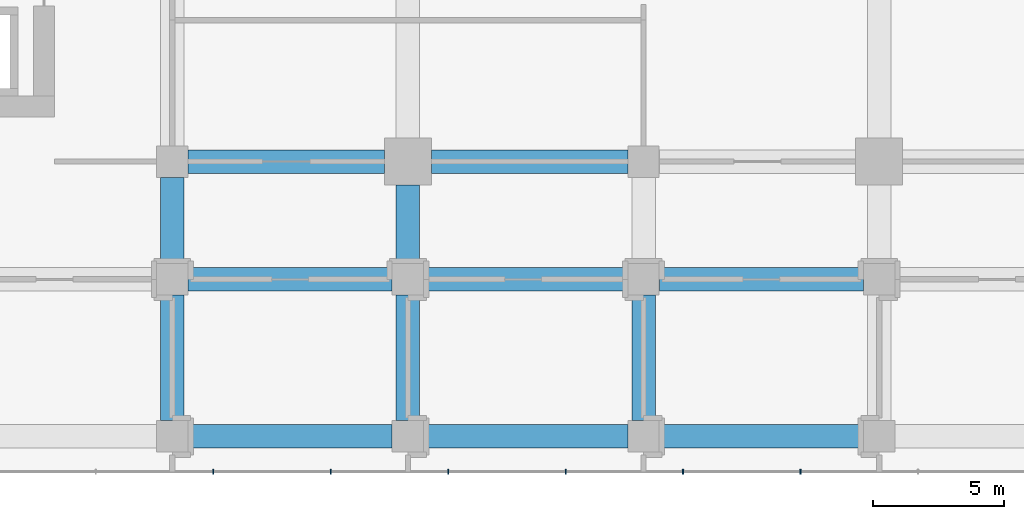
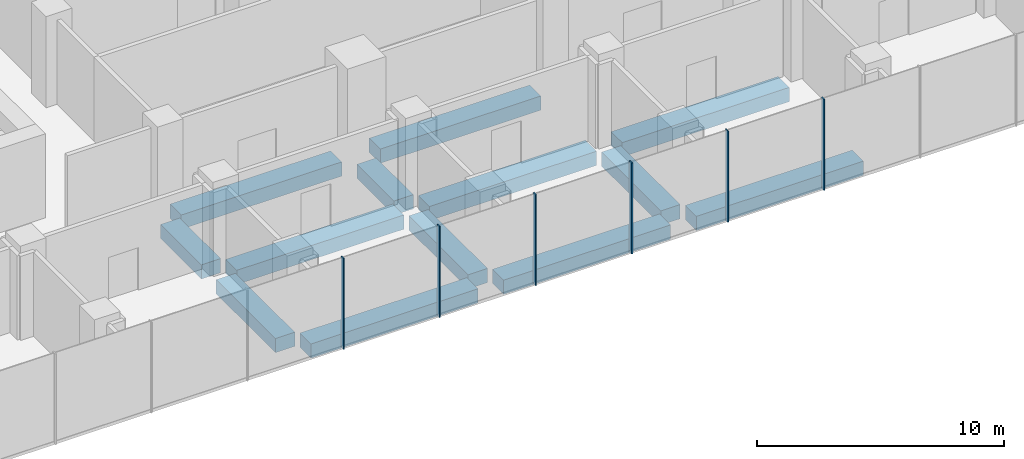
# One storey, part 4 of 43: 13 beams, 6 members, 1 element without a shape of its own.
"""IFC4 building model written with IfcOpenShell, lengths in metres."""

from ifc_helpers import new_model, si_unit, direction, frame, origin, origin_2d, place, context, subcontext, project, spatial, rectangle, extrude, material, layer, layer_set, material_profile, profile_set, type_object, element, aggregate, save


model = new_model("IFC4")

# Units and contexts
model_context = context("Model", 3, precision=1e-05, world=origin(), true_north=direction((0.0, 1.0)))
body_context = subcontext(model_context, "Body", "Model", "MODEL_VIEW")
ifc_project = project(units=[si_unit("LENGTHUNIT", "METRE"), si_unit("AREAUNIT", "SQUARE_METRE"), si_unit("VOLUMEUNIT", "CUBIC_METRE"), si_unit("PLANEANGLEUNIT", "RADIAN"), si_unit("MASSUNIT", "GRAM", prefix="KILO")], contexts=[model_context])

# Site, building, storey
site_placement = place(None, origin())
site = spatial("IfcSite", under=ifc_project, at=site_placement, CompositionType="ELEMENT")
building_placement = place(site_placement, origin())
building = spatial("IfcBuilding", under=site, at=building_placement, Name="Plateau Cross Towers", CompositionType="ELEMENT")
storey_placement = place(building_placement, frame((0.0, 0.0, 17.300048828125)))
storey = spatial("IfcBuildingStorey", under=building, at=storey_placement, Name="L03", CompositionType="ELEMENT", Elevation=17.300048828125)

# Curtain wall, members
ifc_material_1 = material(Name="Dark low-iron laminated glass", Category="glass")
ifc_layer = layer(ifc_material_1, 0.300048828125)
ifc_layer_set = layer_set([ifc_layer], Name="Dark low-iron laminated glass")
curtain_wall_type = type_object("IfcCurtainWallType", Name="Curtain wall structural silicone CW-C", PredefinedType="NOTDEFINED", material=ifc_layer_set)
curtain_wall_placement = place(storey_placement, origin())
curtain_wall = element("IfcCurtainWall", 1, at=curtain_wall_placement, inside=storey, type_object=curtain_wall_type, Name="ENV/P/L03/P-28_-118", PredefinedType="NOTDEFINED")
ifc_material_2 = material(Name="Black anodised aluminium", Category="aluminium")
ifc_material_profile_1 = material_profile(ifc_material_2, rectangle(XDim=0.050048828125, YDim=0.199951171875, at=origin_2d()), Name="MULLION 50x200")
ifc_profile_set_1 = profile_set([ifc_material_profile_1], Name="Black anodised aluminium")
member_type = type_object("IfcMemberType", Name="Mullion 50x200 structural silicone", PredefinedType="MULLION", material=ifc_profile_set_1)
member_1_placement = place(storey_placement, frame((28.5625, -11.85009765625, -0.35009765625), z_axis=(0.0, 0.0, 1.0), x_axis=(1.0, 0.0, 0.0)))
member_1 = element("IfcMember", 2, at=member_1_placement, type_object=member_type, Name="CW-C mullion 8", PredefinedType="MULLION", context=body_context, shape_type="SweptSolid", body=[
    extrude(rectangle(XDim=0.050048828125, YDim=0.199951171875, at=origin_2d()), origin(), (0.0, 0.0, 1.0), 4.5),
])
member_2_placement = place(storey_placement, frame((33.050048828125, -11.85009765625, -0.35009765625), z_axis=(0.0, 0.0, 1.0), x_axis=(1.0, 0.0, 0.0)))
member_2 = element("IfcMember", 3, at=member_2_placement, type_object=member_type, Name="CW-C mullion 9", PredefinedType="MULLION", context=body_context, shape_type="SweptSolid", body=[
    extrude(rectangle(XDim=0.050048828125, YDim=0.199951171875, at=origin_2d()), origin(), (0.0, 0.0, 1.0), 4.5),
])
member_3_placement = place(storey_placement, frame((37.53759765625, -11.85009765625, -0.35009765625), z_axis=(0.0, 0.0, 1.0), x_axis=(1.0, 0.0, 0.0)))
member_3 = element("IfcMember", 4, at=member_3_placement, type_object=member_type, Name="CW-C mullion 10", PredefinedType="MULLION", context=body_context, shape_type="SweptSolid", body=[
    extrude(rectangle(XDim=0.050048828125, YDim=0.199951171875, at=origin_2d()), origin(), (0.0, 0.0, 1.0), 4.5),
])
member_4_placement = place(storey_placement, frame((42.02490234375, -11.85009765625, -0.35009765625), z_axis=(0.0, 0.0, 1.0), x_axis=(1.0, 0.0, 0.0)))
member_4 = element("IfcMember", 5, at=member_4_placement, type_object=member_type, Name="CW-C mullion 11", PredefinedType="MULLION", context=body_context, shape_type="SweptSolid", body=[
    extrude(rectangle(XDim=0.050048828125, YDim=0.199951171875, at=origin_2d()), origin(), (0.0, 0.0, 1.0), 4.5),
])
member_5_placement = place(storey_placement, frame((46.512451171875, -11.85009765625, -0.35009765625), z_axis=(0.0, 0.0, 1.0), x_axis=(1.0, 0.0, 0.0)))
member_5 = element("IfcMember", 6, at=member_5_placement, type_object=member_type, Name="CW-C mullion 12", PredefinedType="MULLION", context=body_context, shape_type="SweptSolid", body=[
    extrude(rectangle(XDim=0.050048828125, YDim=0.199951171875, at=origin_2d()), origin(), (0.0, 0.0, 1.0), 4.5),
])
member_6_placement = place(storey_placement, frame((51.0, -11.85009765625, -0.35009765625), z_axis=(0.0, 0.0, 1.0), x_axis=(1.0, 0.0, 0.0)))
member_6 = element("IfcMember", 7, at=member_6_placement, type_object=member_type, Name="CW-C mullion 13", PredefinedType="MULLION", context=body_context, shape_type="SweptSolid", body=[
    extrude(rectangle(XDim=0.050048828125, YDim=0.199951171875, at=origin_2d()), origin(), (0.0, 0.0, 1.0), 4.5),
])
aggregate(curtain_wall, [member_1, member_2, member_3, member_4, member_5, member_6])

# Beams
ifc_material_3 = material(Name="Concrete C50/60", Category="concrete")
ifc_material_profile_2 = material_profile(ifc_material_3, rectangle(XDim=0.89990234375, YDim=0.699951171875, at=origin_2d()), Name="RC 900x700")
ifc_profile_set_2 = profile_set([ifc_material_profile_2], Name="Concrete C50/60")
beam_type = type_object("IfcBeamType", Name="Podium band beam RC 900x700", PredefinedType="BEAM", material=ifc_profile_set_2)
for number, where, z_axis, x_axis, name in (
    (8, (27.60009765625, -10.5, -0.699951171875), (1.0, 0.0, 0.0), (0.0, 1.0, 0.0), "PB05@L03"),
    (9, (36.60009765625, -10.5, -0.699951171875), (1.0, 0.0, 0.0), (0.0, 1.0, 0.0), "PB06@L03"),
    (10, (45.60009765625, -10.5, -0.699951171875), (1.0, 0.0, 0.0), (0.0, 1.0, 0.0), "PB07@L03"),
    (11, (27.60009765625, -4.5, -0.699951171875), (1.0, 0.0, 0.0), (0.0, 1.0, 0.0), "PB18@L03"),
    (12, (36.60009765625, -4.5, -0.699951171875), (1.0, 0.0, 0.0), (0.0, 1.0, 0.0), "PB19@L03"),
    (13, (45.60009765625, -4.5, -0.699951171875), (1.0, 0.0, 0.0), (0.0, 1.0, 0.0), "PB20@L03"),
):
    element("IfcBeam", number, at=place(storey_placement, frame(where, z_axis=z_axis, x_axis=x_axis)), inside=storey, type_object=beam_type, Name=name, PredefinedType="BEAM", context=body_context, shape_type="SweptSolid", body=[
        extrude(rectangle(XDim=0.89990234375, YDim=0.699951171875, at=origin_2d()), origin(), (0.0, 0.0, 1.0), 7.7998046875),
    ])
for number, where, z_axis, x_axis, name in (
    (14, (27.60009765625, 0.0, -0.699951171875), (1.0, 0.0, 0.0), (0.0, 1.0, 0.0), "PB22@L03"),
    (15, (36.89990234375, 0.0, -0.699951171875), (1.0, 0.0, 0.0), (0.0, 1.0, 0.0), "PB23@L03"),
):
    element("IfcBeam", number, at=place(storey_placement, frame(where, z_axis=z_axis, x_axis=x_axis)), inside=storey, type_object=beam_type, Name=name, PredefinedType="BEAM", context=body_context, shape_type="SweptSolid", body=[
        extrude(rectangle(XDim=0.89990234375, YDim=0.699951171875, at=origin_2d()), origin(), (0.0, 0.0, 1.0), 7.5),
    ])
beam_1_placement = place(storey_placement, frame((27.0, -9.89990234375, -0.699951171875), z_axis=(0.0, 1.0, 0.0), x_axis=(-1.0, 0.0, 0.0)))
element("IfcBeam", 16, at=beam_1_placement, inside=storey, type_object=beam_type, Name="PB114@L03", PredefinedType="BEAM", context=body_context, shape_type="SweptSolid", body=[
    extrude(rectangle(XDim=0.89990234375, YDim=0.699951171875, at=origin_2d()), origin(), (0.0, 0.0, 1.0), 4.7998046875),
])
beam_2_placement = place(storey_placement, frame((27.0, -3.89990234375, -0.699951171875), z_axis=(0.0, 1.0, 0.0), x_axis=(-1.0, 0.0, 0.0)))
element("IfcBeam", 17, at=beam_2_placement, inside=storey, type_object=beam_type, Name="PB115@L03", PredefinedType="BEAM", context=body_context, shape_type="SweptSolid", body=[
    extrude(rectangle(XDim=0.89990234375, YDim=0.699951171875, at=origin_2d()), origin(), (0.0, 0.0, 1.0), 3.2998046875),
])
beam_3_placement = place(storey_placement, frame((36.0, -9.89990234375, -0.699951171875), z_axis=(0.0, 1.0, 0.0), x_axis=(-1.0, 0.0, 0.0)))
element("IfcBeam", 18, at=beam_3_placement, inside=storey, type_object=beam_type, Name="PB123@L03", PredefinedType="BEAM", context=body_context, shape_type="SweptSolid", body=[
    extrude(rectangle(XDim=0.89990234375, YDim=0.699951171875, at=origin_2d()), origin(), (0.0, 0.0, 1.0), 4.7998046875),
])
beam_4_placement = place(storey_placement, frame((36.0, -3.89990234375, -0.699951171875), z_axis=(0.0, 1.0, 0.0), x_axis=(-1.0, 0.0, 0.0)))
element("IfcBeam", 19, at=beam_4_placement, inside=storey, type_object=beam_type, Name="PB124@L03", PredefinedType="BEAM", context=body_context, shape_type="SweptSolid", body=[
    extrude(rectangle(XDim=0.89990234375, YDim=0.699951171875, at=origin_2d()), origin(), (0.0, 0.0, 1.0), 3.0),
])
beam_5_placement = place(storey_placement, frame((45.0, -9.89990234375, -0.699951171875), z_axis=(0.0, 1.0, 0.0), x_axis=(-1.0, 0.0, 0.0)))
element("IfcBeam", 20, at=beam_5_placement, inside=storey, type_object=beam_type, Name="PB132@L03", PredefinedType="BEAM", context=body_context, shape_type="SweptSolid", body=[
    extrude(rectangle(XDim=0.89990234375, YDim=0.699951171875, at=origin_2d()), origin(), (0.0, 0.0, 1.0), 4.7998046875),
])

save(model, "model.ifc")
